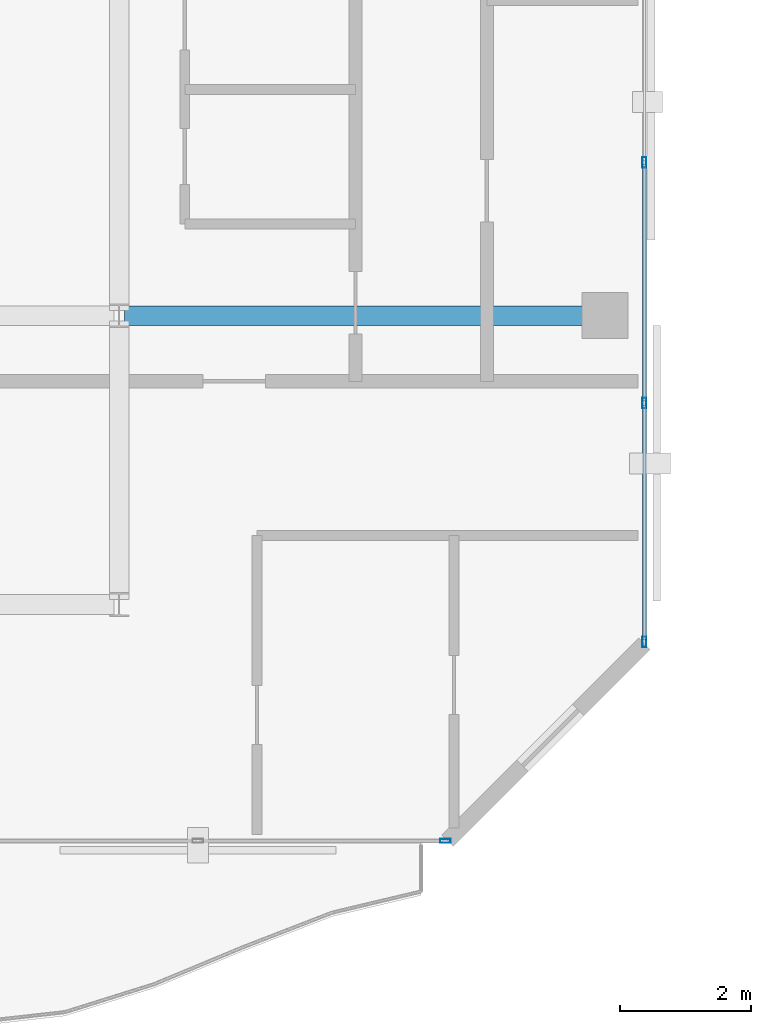
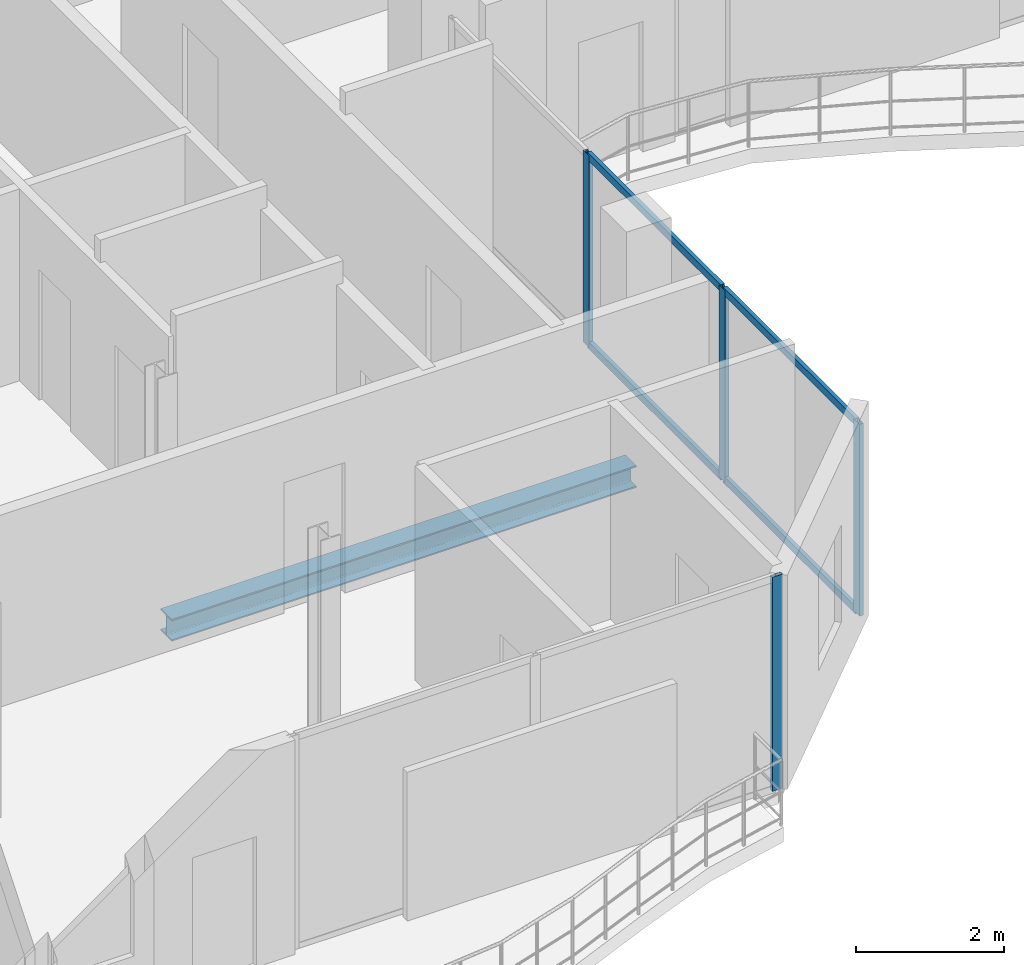
# One storey, part 7 of 22: 8 members, 1 beam, 2 elements without a shape of their own.
"""IFC4 building model written with IfcOpenShell, lengths in metres."""

import ifcopenshell
import ifcopenshell.guid

model = None  # the IFC model being written
_history = None  # IfcOwnerHistory: only IFC2X3 demands one
_inside = {}  # id of a spatial element -> (the spatial element, [elements in it])
_under = {}  # id of a project, library or spatial element -> (it, [spatial elements below it])
_declared = {}  # id of a project -> (the project, [libraries it declares])
_typed = {}  # id of a type object -> (the type object, [elements of that type])
_made_of = {}  # id of a material, layer set ... -> (it, [elements and type objects made of it])


def new_model(schema):
    """Start an empty IFC model of exactly this schema.

    Asked for "IFC4X3", IfcOpenShell would pick the latest addendum, in which some entities
    have other attributes; the version numbers below select the first issue.
    IFC2X3 requires an IfcOwnerHistory on every rooted entity: one is made here for all.
    """
    global model, _history
    if schema == "IFC4X3":
        model = ifcopenshell.file(schema_version=(4, 3, 0, 0))
    else:
        model = ifcopenshell.file(schema=schema)
    _inside.clear()
    _under.clear()
    _declared.clear()
    _typed.clear()
    _made_of.clear()
    _history = None
    if model.schema == "IFC2X3":
        org = make("IfcOrganization", Name="unknown")
        user = make(
            "IfcPersonAndOrganization",
            ThePerson=make("IfcPerson", FamilyName="unknown"),
            TheOrganization=org,
        )
        app = make(
            "IfcApplication",
            ApplicationDeveloper=org,
            Version="unknown",
            ApplicationFullName="unknown",
            ApplicationIdentifier="unknown",
        )
        _history = make(
            "IfcOwnerHistory",
            OwningUser=user,
            OwningApplication=app,
            ChangeAction="ADDED",
            CreationDate=0,
        )
    return model


def make(cls, **values):
    """One entity of the class cls with the attributes given. An attribute that is None is left unset."""
    return model.create_entity(
        cls, **{name: value for name, value in values.items() if value is not None}
    )


def rooted(cls, **values):
    """An entity with a GlobalId (a new one), such as an element, a storey or a relation."""
    return make(cls, GlobalId=ifcopenshell.guid.new(), OwnerHistory=_history, **values)


def si_unit(unit_type, name, prefix=None):
    """IfcSIUnit, for example si_unit("LENGTHUNIT", "METRE", prefix="MILLI")."""
    return make("IfcSIUnit", UnitType=unit_type, Prefix=prefix, Name=name)


def assignment(units):
    """IfcUnitAssignment: the units of a project."""
    return None if units is None else make("IfcUnitAssignment", Units=units)


def point(xyz):
    """IfcCartesianPoint."""
    return None if xyz is None else make("IfcCartesianPoint", Coordinates=xyz)


def direction(xyz):
    """IfcDirection."""
    return None if xyz is None else make("IfcDirection", DirectionRatios=xyz)


def frame(location, z_axis=None, x_axis=None):
    """IfcAxis2Placement3D, a coordinate frame: its origin and axes. An axis left out is left unset."""
    return make(
        "IfcAxis2Placement3D",
        Location=point(location),
        Axis=direction(z_axis),
        RefDirection=direction(x_axis),
    )


def frame_2d(location, x_axis=None):
    """IfcAxis2Placement2D, a coordinate frame in the plane: its origin and x axis."""
    return make(
        "IfcAxis2Placement2D", Location=point(location), RefDirection=direction(x_axis)
    )


def origin():
    """The frame at (0, 0, 0) with its axes left unset."""
    return frame((0.0, 0.0, 0.0))


def origin_2d():
    """The frame at (0, 0) in the plane with its x axis left unset."""
    return frame_2d((0.0, 0.0))


def place(relative_to, where):
    """IfcLocalPlacement: puts the frame where relative to a parent placement (None: the world)."""
    return make(
        "IfcLocalPlacement", PlacementRelTo=relative_to, RelativePlacement=where
    )


def context(
    kind, dimensions, precision=None, world=None, true_north=None, identifier=None
):
    """IfcGeometricRepresentationContext, for example the 3D "Model" context."""
    return make(
        "IfcGeometricRepresentationContext",
        ContextIdentifier=identifier,
        ContextType=kind,
        CoordinateSpaceDimension=dimensions,
        Precision=precision,
        WorldCoordinateSystem=world,
        TrueNorth=true_north,
    )


def subcontext(parent, identifier, kind, view, scale=None):
    """IfcGeometricRepresentationSubContext, for example "Body" below "Model"."""
    return make(
        "IfcGeometricRepresentationSubContext",
        ContextIdentifier=identifier,
        ContextType=kind,
        ParentContext=parent,
        TargetScale=scale,
        TargetView=view,
    )


def project(units=None, contexts=None):
    """IfcProject with its units and contexts."""
    return rooted(
        "IfcProject",
        Name="project",
        RepresentationContexts=contexts,
        UnitsInContext=assignment(units),
    )


def spatial(cls, under=None, at=None, **own):
    """A site, building, storey or space (cls), placed at a placement, below another one or the project."""
    s = rooted(cls, ObjectPlacement=at, **own)
    if under is not None:
        _under.setdefault(under.id(), (under, []))[1].append(s)
    return s


def profile(cls, at=None, kind="AREA", **sizes):
    """A parametric profile (cls). Its sizes go by their IFC names, for example OverallWidth=200.0."""
    return make(cls, ProfileType=kind, Position=at, **sizes)


def hollow_rectangle(**sizes):
    """IfcRectangleHollowProfileDef."""
    return profile("IfcRectangleHollowProfileDef", **sizes)


def i_section(**sizes):
    """IfcIShapeProfileDef."""
    return profile("IfcIShapeProfileDef", **sizes)


def extrude(swept, where, along, depth):
    """IfcExtrudedAreaSolid: the profile swept, set in the frame where, extruded along a direction by depth."""
    return make(
        "IfcExtrudedAreaSolid",
        SweptArea=swept,
        Position=where,
        ExtrudedDirection=direction(along),
        Depth=depth,
    )


def shape(context_of_items, identifier, shape_type, items):
    """IfcShapeRepresentation: the items that make up one representation, for example the "Body"."""
    return make(
        "IfcShapeRepresentation",
        ContextOfItems=context_of_items,
        RepresentationIdentifier=identifier,
        RepresentationType=shape_type,
        Items=items,
    )


def material(Name=None, Category=None):
    """IfcMaterial."""
    return make("IfcMaterial", Name=Name, Category=Category)


def layer(
    of_material, thickness, ventilated=None, Name=None, Category=None, Priority=None
):
    """IfcMaterialLayer: one layer of a wall or slab, of a material (None: an air gap)."""
    return make(
        "IfcMaterialLayer",
        Material=of_material,
        LayerThickness=thickness,
        IsVentilated=ventilated,
        Name=Name,
        Category=Category,
        Priority=Priority,
    )


def layer_set(layers, Name=None):
    """IfcMaterialLayerSet."""
    return make("IfcMaterialLayerSet", MaterialLayers=layers, LayerSetName=Name)


def material_profile(
    of_material, cross_section, Name=None, Category=None, Priority=None
):
    """IfcMaterialProfile: a cross section and its material."""
    return make(
        "IfcMaterialProfile",
        Name=Name,
        Material=of_material,
        Profile=cross_section,
        Priority=Priority,
        Category=Category,
    )


def profile_set(profiles, Name=None, composite=None):
    """IfcMaterialProfileSet."""
    return make(
        "IfcMaterialProfileSet",
        Name=Name,
        MaterialProfiles=profiles,
        CompositeProfile=composite,
    )


def made_of(thing, what):
    """Note that an element or type object is made of a material, layer set ...; save() writes the relation."""
    if what is not None:
        _made_of.setdefault(what.id(), (what, []))[1].append(thing)
    return thing


def type_object(cls, material=None, **own):
    """A type object (cls), such as IfcWallType, which elements share."""
    return made_of(rooted(cls, **own), material)


def element(
    cls,
    number,
    at=None,
    inside=None,
    cuts=None,
    type_object=None,
    material=None,
    context=None,
    identifier="Body",
    shape_type=None,
    held_by="IfcProductDefinitionShape",
    body=None,
    shapes=None,
    **own,
):
    """One element of the class cls, such as IfcWall. Its Tag is "e" and its number.

    at: its placement. inside: the storey or other place that contains it. cuts: it is an
    opening in that element (IfcRelVoidsElement). A single representation is given by context,
    identifier, shape_type and body (its items); several are given by shapes. held_by: the class
    of the entity that holds the representations. save() writes the other relations.
    """
    e = rooted(cls, Tag="e%d" % number, ObjectPlacement=at, **own)
    if body is not None:
        shapes = [shape(context, identifier, shape_type, body)]
    if shapes is not None:
        e.Representation = make(held_by, Representations=shapes)
    if inside is not None:
        _inside.setdefault(inside.id(), (inside, []))[1].append(e)
    if cuts is not None:
        rooted(
            "IfcRelVoidsElement", RelatingBuildingElement=cuts, RelatedOpeningElement=e
        )
    if type_object is not None:
        _typed.setdefault(type_object.id(), (type_object, []))[1].append(e)
    return made_of(e, material)


def aggregate(whole, parts):
    """IfcRelAggregates: a whole, such as a stair, and the parts it consists of."""
    return rooted("IfcRelAggregates", RelatingObject=whole, RelatedObjects=parts)


def save(model, path):
    """Write the relations noted so far, then the file.

    IfcRelAggregates (storeys below a building ...), IfcRelContainedInSpatialStructure (elements
    in a storey), IfcRelDefinesByType, IfcRelAssociatesMaterial and IfcRelDeclares: one each for
    every whole, place, type object, material and project.
    """
    for whole, parts in _under.values():
        aggregate(whole, parts)
    for where, things in _inside.values():
        rooted(
            "IfcRelContainedInSpatialStructure",
            RelatedElements=things,
            RelatingStructure=where,
        )
    for kind, things in _typed.values():
        rooted("IfcRelDefinesByType", RelatedObjects=things, RelatingType=kind)
    for what, things in _made_of.values():
        rooted("IfcRelAssociatesMaterial", RelatedObjects=things, RelatingMaterial=what)
    for by, libraries in _declared.values():
        rooted("IfcRelDeclares", RelatingContext=by, RelatedDefinitions=libraries)
    model.write(path)


model = new_model("IFC4")

# Units and contexts
model_context = context("Model", 3, precision=1e-05, world=origin(), true_north=direction((0.0, 1.0)))
body_context = subcontext(model_context, "Body", "Model", "MODEL_VIEW")
ifc_project = project(units=[si_unit("LENGTHUNIT", "METRE"), si_unit("AREAUNIT", "SQUARE_METRE"), si_unit("VOLUMEUNIT", "CUBIC_METRE"), si_unit("PLANEANGLEUNIT", "RADIAN"), si_unit("MASSUNIT", "GRAM", prefix="KILO")], contexts=[model_context])

# Site, building, storey
site_placement = place(None, origin())
site = spatial("IfcSite", under=ifc_project, at=site_placement, CompositionType="ELEMENT")
building_placement = place(site_placement, origin())
building = spatial("IfcBuilding", under=site, at=building_placement, Name="Catumbela Crestline Tower", CompositionType="ELEMENT")
storey_placement = place(building_placement, frame((0.0, 0.0, 260.2)))
storey = spatial("IfcBuildingStorey", under=building, at=storey_placement, Name="L67", CompositionType="ELEMENT", Elevation=260.2)

# Beam
ifc_material_1 = material(Name="Structural steel S355J2", Category="steel")
ifc_material_profile_1 = material_profile(ifc_material_1, i_section(OverallWidth=0.3, OverallDepth=0.36, WebThickness=0.0125, FlangeThickness=0.0225, FilletRadius=0.027, at=origin_2d()), Name="HEB 360")
ifc_profile_set_1 = profile_set([ifc_material_profile_1], Name="Structural steel S355J2")
beam_type = type_object("IfcBeamType", Name="BG-HEB360", PredefinedType="BEAM", material=ifc_profile_set_1)
beam_placement = place(storey_placement, frame((16.08, 18.0, -0.44), z_axis=(1.0, 0.0, 0.0), x_axis=(0.0, 1.0, 0.0)))
element("IfcBeam", 1, at=beam_placement, inside=storey, type_object=beam_type, Name="L67 Beam BM-L67-WEW29", PredefinedType="BEAM", context=body_context, shape_type="SweptSolid", body=[
    extrude(i_section(OverallWidth=0.3, OverallDepth=0.36, WebThickness=0.0125, FlangeThickness=0.0225, FilletRadius=0.027, at=origin_2d()), origin(), (0.0, 0.0, 1.0), 7.24),
])

# Curtain wall, member
ifc_material_2 = material(Name="Aluminium alloy AW-6060-T66", Category="aluminium")
ifc_layer = layer(ifc_material_2, 0.18, Name="Aluminium alloy AW-6060-T66")
ifc_layer_set = layer_set([ifc_layer], Name="Aluminium alloy AW-6060-T66")
curtain_wall_type = type_object("IfcCurtainWallType", Name="CWU-Z4", PredefinedType="USERDEFINED", material=ifc_layer_set)
curtain_wall_1_placement = place(storey_placement, origin())
curtain_wall_1 = element("IfcCurtainWall", 2, at=curtain_wall_1_placement, inside=storey, type_object=curtain_wall_type, Name="L67 Unitised Curtain Wall CW-L67-E0S2", ObjectType="UNITISED", PredefinedType="USERDEFINED")
ifc_material_profile_2 = material_profile(ifc_material_2, hollow_rectangle(XDim=0.06, YDim=0.16, WallThickness=0.004, at=origin_2d()), Name="ALU 160x60x4")
ifc_profile_set_2 = profile_set([ifc_material_profile_2], Name="Aluminium alloy AW-6060-T66")
member_type_1 = type_object("IfcMemberType", Name="MUL-160X60", PredefinedType="MULLION", material=ifc_profile_set_2)
member_1_placement = place(storey_placement, frame((20.9675, 10.0, 0.0), z_axis=(0.0, 0.0, 1.0), x_axis=(0.0, 1.0, 0.0)))
member_1 = element("IfcMember", 3, at=member_1_placement, type_object=member_type_1, Name="CWU-Z4 mullion 3", PredefinedType="MULLION", context=body_context, shape_type="SweptSolid", body=[
    extrude(hollow_rectangle(XDim=0.06, YDim=0.16, WallThickness=0.004, at=origin_2d()), origin(), (0.0, 0.0, 1.0), 3.53),
])
aggregate(curtain_wall_1, [member_1])

# Curtain wall, members
curtain_wall_2_placement = place(storey_placement, origin())
curtain_wall_2 = element("IfcCurtainWall", 4, at=curtain_wall_2_placement, inside=storey, type_object=curtain_wall_type, Name="L67 Unitised Curtain Wall CW-L67-E2S1", ObjectType="UNITISED", PredefinedType="USERDEFINED")
member_2_placement = place(storey_placement, frame((24.0, 13.0325, 0.0), z_axis=(0.0, 0.0, 1.0), x_axis=(-1.0, 0.0, 0.0)))
member_2 = element("IfcMember", 5, at=member_2_placement, type_object=member_type_1, Name="CWU-Z4 mullion 1", PredefinedType="MULLION", context=body_context, shape_type="SweptSolid", body=[
    extrude(hollow_rectangle(XDim=0.06, YDim=0.16, WallThickness=0.004, at=origin_2d()), origin(), (0.0, 0.0, 1.0), 3.16),
])
member_3_placement = place(storey_placement, frame((24.0, 16.6667, 0.0), z_axis=(0.0, 0.0, 1.0), x_axis=(-1.0, 0.0, 0.0)))
member_3 = element("IfcMember", 6, at=member_3_placement, type_object=member_type_1, Name="CWU-Z4 mullion 2", PredefinedType="MULLION", context=body_context, shape_type="SweptSolid", body=[
    extrude(hollow_rectangle(XDim=0.06, YDim=0.16, WallThickness=0.004, at=origin_2d()), origin(), (0.0, 0.0, 1.0), 3.16),
])
member_4_placement = place(storey_placement, frame((24.0, 20.3333, 0.0), z_axis=(0.0, 0.0, 1.0), x_axis=(-1.0, 0.0, 0.0)))
member_4 = element("IfcMember", 7, at=member_4_placement, type_object=member_type_1, Name="CWU-Z4 mullion 3", PredefinedType="MULLION", context=body_context, shape_type="SweptSolid", body=[
    extrude(hollow_rectangle(XDim=0.06, YDim=0.16, WallThickness=0.004, at=origin_2d()), origin(), (0.0, 0.0, 1.0), 3.16),
])
ifc_material_profile_3 = material_profile(ifc_material_2, hollow_rectangle(XDim=0.06, YDim=0.12, WallThickness=0.0035, at=origin_2d()), Name="ALU 120x60x3.5")
ifc_profile_set_3 = profile_set([ifc_material_profile_3], Name="Aluminium alloy AW-6060-T66")
member_type_2 = type_object("IfcMemberType", Name="TRN-120X60", PredefinedType="USERDEFINED", material=ifc_profile_set_3)
member_5_placement = place(storey_placement, frame((24.0, 13.065, 0.03), z_axis=(0.0, 1.0, 0.0), x_axis=(-1.0, 0.0, 0.0)))
member_5 = element("IfcMember", 8, at=member_5_placement, type_object=member_type_2, Name="CWU-Z4 transom 1.1", ObjectType="TRANSOM", PredefinedType="USERDEFINED", context=body_context, shape_type="SweptSolid", body=[
    extrude(hollow_rectangle(XDim=0.06, YDim=0.12, WallThickness=0.0035, at=origin_2d()), origin(), (0.0, 0.0, 1.0), 3.5692),
])
member_6_placement = place(storey_placement, frame((24.0, 13.065, 3.13), z_axis=(0.0, 1.0, 0.0), x_axis=(-1.0, 0.0, 0.0)))
member_6 = element("IfcMember", 9, at=member_6_placement, type_object=member_type_2, Name="CWU-Z4 transom 1.2", ObjectType="TRANSOM", PredefinedType="USERDEFINED", context=body_context, shape_type="SweptSolid", body=[
    extrude(hollow_rectangle(XDim=0.06, YDim=0.12, WallThickness=0.0035, at=origin_2d()), origin(), (0.0, 0.0, 1.0), 3.5692),
])
member_7_placement = place(storey_placement, frame((24.0, 16.6992, 0.03), z_axis=(0.0, 1.0, 0.0), x_axis=(-1.0, 0.0, 0.0)))
member_7 = element("IfcMember", 10, at=member_7_placement, type_object=member_type_2, Name="CWU-Z4 transom 2.1", ObjectType="TRANSOM", PredefinedType="USERDEFINED", context=body_context, shape_type="SweptSolid", body=[
    extrude(hollow_rectangle(XDim=0.06, YDim=0.12, WallThickness=0.0035, at=origin_2d()), origin(), (0.0, 0.0, 1.0), 3.6016),
])
member_8_placement = place(storey_placement, frame((24.0, 16.6992, 3.13), z_axis=(0.0, 1.0, 0.0), x_axis=(-1.0, 0.0, 0.0)))
member_8 = element("IfcMember", 11, at=member_8_placement, type_object=member_type_2, Name="CWU-Z4 transom 2.2", ObjectType="TRANSOM", PredefinedType="USERDEFINED", context=body_context, shape_type="SweptSolid", body=[
    extrude(hollow_rectangle(XDim=0.06, YDim=0.12, WallThickness=0.0035, at=origin_2d()), origin(), (0.0, 0.0, 1.0), 3.6016),
])
aggregate(curtain_wall_2, [member_2, member_3, member_4, member_5, member_6, member_7, member_8])

save(model, "model.ifc")
